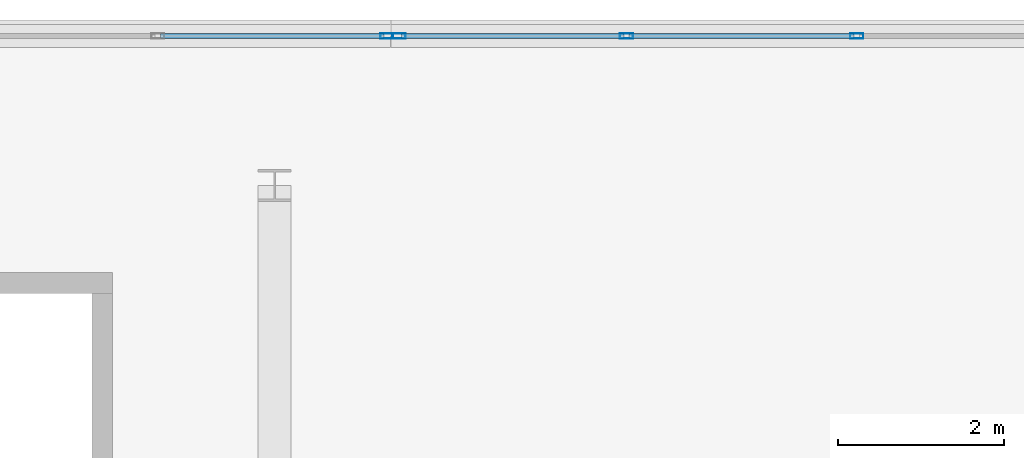
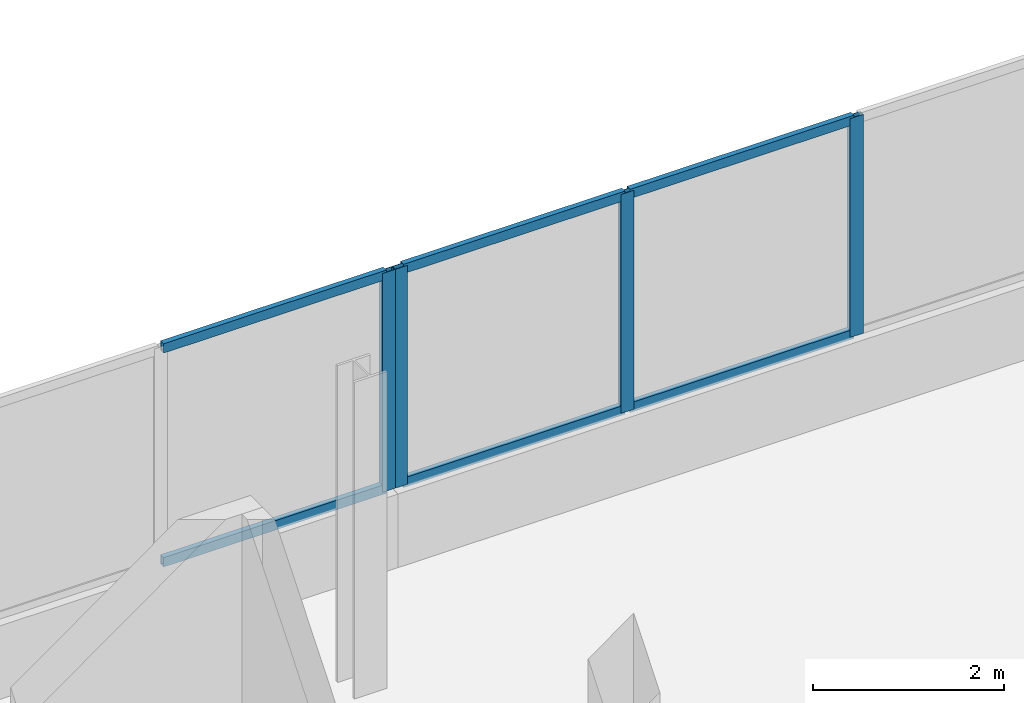
# One storey, part 44 of 67: 10 members, 2 elements without a shape of their own.
"""IFC4 building model written with IfcOpenShell, lengths in metres."""

from ifc_helpers import new_model, si_unit, direction, frame, origin, origin_2d, place, context, subcontext, project, spatial, hollow_rectangle, extrude, material, material_profile, profile_set, type_object, element, aggregate, save


model = new_model("IFC4")

# Units and contexts
model_context = context("Model", 3, precision=1e-05, world=origin(), true_north=direction((0.0, 1.0)))
body_context = subcontext(model_context, "Body", "Model", "MODEL_VIEW")
ifc_project = project(units=[si_unit("LENGTHUNIT", "METRE"), si_unit("AREAUNIT", "SQUARE_METRE"), si_unit("VOLUMEUNIT", "CUBIC_METRE"), si_unit("PLANEANGLEUNIT", "RADIAN"), si_unit("MASSUNIT", "GRAM", prefix="KILO")], contexts=[model_context])

# Site, building, storey
site_placement = place(None, origin())
site = spatial("IfcSite", under=ifc_project, at=site_placement, CompositionType="ELEMENT")
building_placement = place(site_placement, origin())
building = spatial("IfcBuilding", under=site, at=building_placement, Name="Selatvlak General Hospital", CompositionType="ELEMENT")
storey_placement = place(building_placement, frame((0.0, 0.0, 35.39990234375)))
storey = spatial("IfcBuildingStorey", under=building, at=storey_placement, Name="L08", CompositionType="ELEMENT", Elevation=35.39990234375)

# Curtain wall, member
ifc_material_1 = material(Name="Solar-control Low-E double glazing", Category="glass")
curtain_wall_type_1 = type_object("IfcCurtainWallType", Name="CW-CW-01", PredefinedType="USERDEFINED", material=ifc_material_1)
curtain_wall_1_placement = place(storey_placement, origin())
curtain_wall_1 = element("IfcCurtainWall", 1, at=curtain_wall_1_placement, inside=storey, type_object=curtain_wall_type_1, Name="Glazed facade curtain wall CW-L08-0696", ObjectType="UNITISED CURTAIN WALL", PredefinedType="USERDEFINED")
ifc_material_2 = material(Name="Dark anodised aluminium mullion", Category="aluminium")
ifc_material_profile_1 = material_profile(ifc_material_2, hollow_rectangle(XDim=0.06494140625, YDim=0.159912109375, WallThickness=0.00390625, at=origin_2d()), Name="AL-MUL 65x160x4")
ifc_profile_set_1 = profile_set([ifc_material_profile_1], Name="Dark anodised aluminium mullion")
member_type_1 = type_object("IfcMemberType", Name="CWM-01", PredefinedType="MULLION", material=ifc_profile_set_1)
member_1_placement = place(storey_placement, frame((148.75146484375, 120.0, 0.940185546875), z_axis=(0.0, 0.0, 1.0), x_axis=(0.0, 1.0, 0.0)))
member_1 = element("IfcMember", 2, at=member_1_placement, type_object=member_type_1, Name="CW-01 mullion 4", PredefinedType="MULLION", context=body_context, shape_type="SweptSolid", body=[
    extrude(hollow_rectangle(XDim=0.06494140625, YDim=0.159912109375, WallThickness=0.00390625, at=origin_2d()), origin(), (0.0, 0.0, 1.0), 2.7998046875),
])

# Curtain wall, members
curtain_wall_type_2 = type_object("IfcCurtainWallType", Name="CW-CW-02", PredefinedType="USERDEFINED", material=ifc_material_1)
curtain_wall_2_placement = place(storey_placement, origin())
curtain_wall_2 = element("IfcCurtainWall", 3, at=curtain_wall_2_placement, inside=storey, type_object=curtain_wall_type_2, Name="Glazed facade curtain wall CW-L08-0697", ObjectType="UNITISED CURTAIN WALL", PredefinedType="USERDEFINED")
member_2_placement = place(storey_placement, frame((148.896484375, 120.0, 0.940185546875), z_axis=(0.0, 0.0, 1.0), x_axis=(0.0, 1.0, 0.0)))
member_2 = element("IfcMember", 4, at=member_2_placement, type_object=member_type_1, Name="CW-02 mullion 1", PredefinedType="MULLION", context=body_context, shape_type="SweptSolid", body=[
    extrude(hollow_rectangle(XDim=0.06494140625, YDim=0.159912109375, WallThickness=0.00390625, at=origin_2d()), origin(), (0.0, 0.0, 1.0), 2.7998046875),
])
member_3_placement = place(storey_placement, frame((151.637451171875, 120.0, 0.940185546875), z_axis=(0.0, 0.0, 1.0), x_axis=(0.0, 1.0, 0.0)))
member_3 = element("IfcMember", 5, at=member_3_placement, type_object=member_type_1, Name="CW-02 mullion 2", PredefinedType="MULLION", context=body_context, shape_type="SweptSolid", body=[
    extrude(hollow_rectangle(XDim=0.06494140625, YDim=0.159912109375, WallThickness=0.00390625, at=origin_2d()), origin(), (0.0, 0.0, 1.0), 2.7998046875),
])
member_4_placement = place(storey_placement, frame((154.41064453125, 120.0, 0.940185546875), z_axis=(0.0, 0.0, 1.0), x_axis=(0.0, 1.0, 0.0)))
member_4 = element("IfcMember", 6, at=member_4_placement, type_object=member_type_1, Name="CW-02 mullion 3", PredefinedType="MULLION", context=body_context, shape_type="SweptSolid", body=[
    extrude(hollow_rectangle(XDim=0.06494140625, YDim=0.159912109375, WallThickness=0.00390625, at=origin_2d()), origin(), (0.0, 0.0, 1.0), 2.7998046875),
])

# Member
ifc_material_profile_2 = material_profile(ifc_material_2, hollow_rectangle(XDim=0.06494140625, YDim=0.1201171875, WallThickness=0.00390625, at=origin_2d()), Name="AL-TRN 65x120x4")
ifc_profile_set_2 = profile_set([ifc_material_profile_2], Name="Dark anodised aluminium mullion")
member_type_2 = type_object("IfcMemberType", Name="CWT-01", PredefinedType="USERDEFINED", material=ifc_profile_set_2)
member_5_placement = place(storey_placement, frame((146.026611328125, 120.0, 0.97265625), z_axis=(1.0, 0.0, 0.0), x_axis=(0.0, 1.0, 0.0)))
member_5 = element("IfcMember", 7, at=member_5_placement, type_object=member_type_2, Name="CW-01 transom 3.1", ObjectType="TRANSOM", PredefinedType="USERDEFINED", context=body_context, shape_type="SweptSolid", body=[
    extrude(hollow_rectangle(XDim=0.06494140625, YDim=0.1201171875, WallThickness=0.00390625, at=origin_2d()), origin(), (0.0, 0.0, 1.0), 2.6923828125),
])

member_6_placement = place(storey_placement, frame((146.026611328125, 120.0, 3.70751953125), z_axis=(1.0, 0.0, 0.0), x_axis=(0.0, 1.0, 0.0)))
member_6 = element("IfcMember", 8, at=member_6_placement, type_object=member_type_2, Name="CW-01 transom 3.2", ObjectType="TRANSOM", PredefinedType="USERDEFINED", context=body_context, shape_type="SweptSolid", body=[
    extrude(hollow_rectangle(XDim=0.06494140625, YDim=0.1201171875, WallThickness=0.00390625, at=origin_2d()), origin(), (0.0, 0.0, 1.0), 2.6923828125),
])

aggregate(curtain_wall_1, [member_1, member_5, member_6])

member_7_placement = place(storey_placement, frame((148.928955078125, 120.0, 0.97265625), z_axis=(1.0, 0.0, 0.0), x_axis=(0.0, 1.0, 0.0)))
member_7 = element("IfcMember", 9, at=member_7_placement, type_object=member_type_2, Name="CW-02 transom 1.1", ObjectType="TRANSOM", PredefinedType="USERDEFINED", context=body_context, shape_type="SweptSolid", body=[
    extrude(hollow_rectangle(XDim=0.06494140625, YDim=0.1201171875, WallThickness=0.00390625, at=origin_2d()), origin(), (0.0, 0.0, 1.0), 2.67578125),
])

member_8_placement = place(storey_placement, frame((148.928955078125, 120.0, 3.70751953125), z_axis=(1.0, 0.0, 0.0), x_axis=(0.0, 1.0, 0.0)))
member_8 = element("IfcMember", 10, at=member_8_placement, type_object=member_type_2, Name="CW-02 transom 1.2", ObjectType="TRANSOM", PredefinedType="USERDEFINED", context=body_context, shape_type="SweptSolid", body=[
    extrude(hollow_rectangle(XDim=0.06494140625, YDim=0.1201171875, WallThickness=0.00390625, at=origin_2d()), origin(), (0.0, 0.0, 1.0), 2.67578125),
])

member_9_placement = place(storey_placement, frame((151.669921875, 120.0, 0.97265625), z_axis=(1.0, 0.0, 0.0), x_axis=(0.0, 1.0, 0.0)))
member_9 = element("IfcMember", 11, at=member_9_placement, type_object=member_type_2, Name="CW-02 transom 2.1", ObjectType="TRANSOM", PredefinedType="USERDEFINED", context=body_context, shape_type="SweptSolid", body=[
    extrude(hollow_rectangle(XDim=0.06494140625, YDim=0.1201171875, WallThickness=0.00390625, at=origin_2d()), origin(), (0.0, 0.0, 1.0), 2.708251953125),
])

member_10_placement = place(storey_placement, frame((151.669921875, 120.0, 3.70751953125), z_axis=(1.0, 0.0, 0.0), x_axis=(0.0, 1.0, 0.0)))
member_10 = element("IfcMember", 12, at=member_10_placement, type_object=member_type_2, Name="CW-02 transom 2.2", ObjectType="TRANSOM", PredefinedType="USERDEFINED", context=body_context, shape_type="SweptSolid", body=[
    extrude(hollow_rectangle(XDim=0.06494140625, YDim=0.1201171875, WallThickness=0.00390625, at=origin_2d()), origin(), (0.0, 0.0, 1.0), 2.708251953125),
])

aggregate(curtain_wall_2, [member_2, member_3, member_4, member_7, member_8, member_9, member_10])

save(model, "model.ifc")
